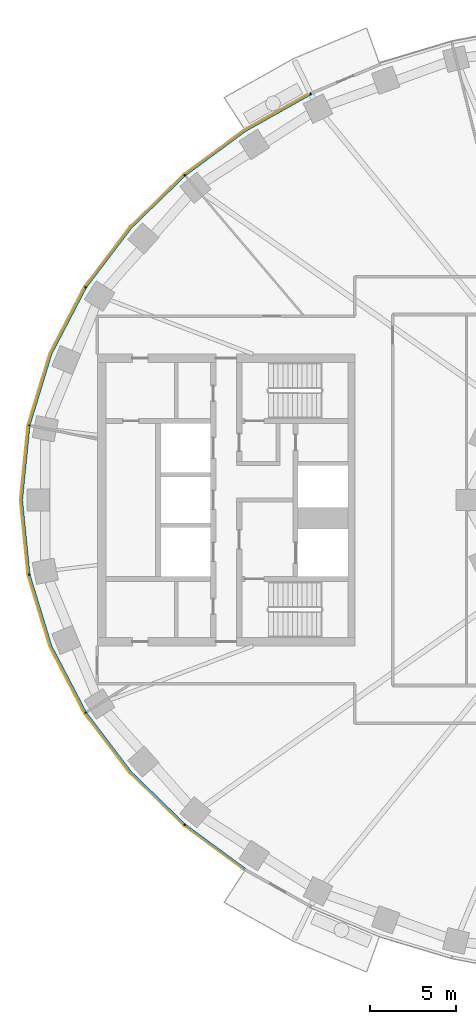
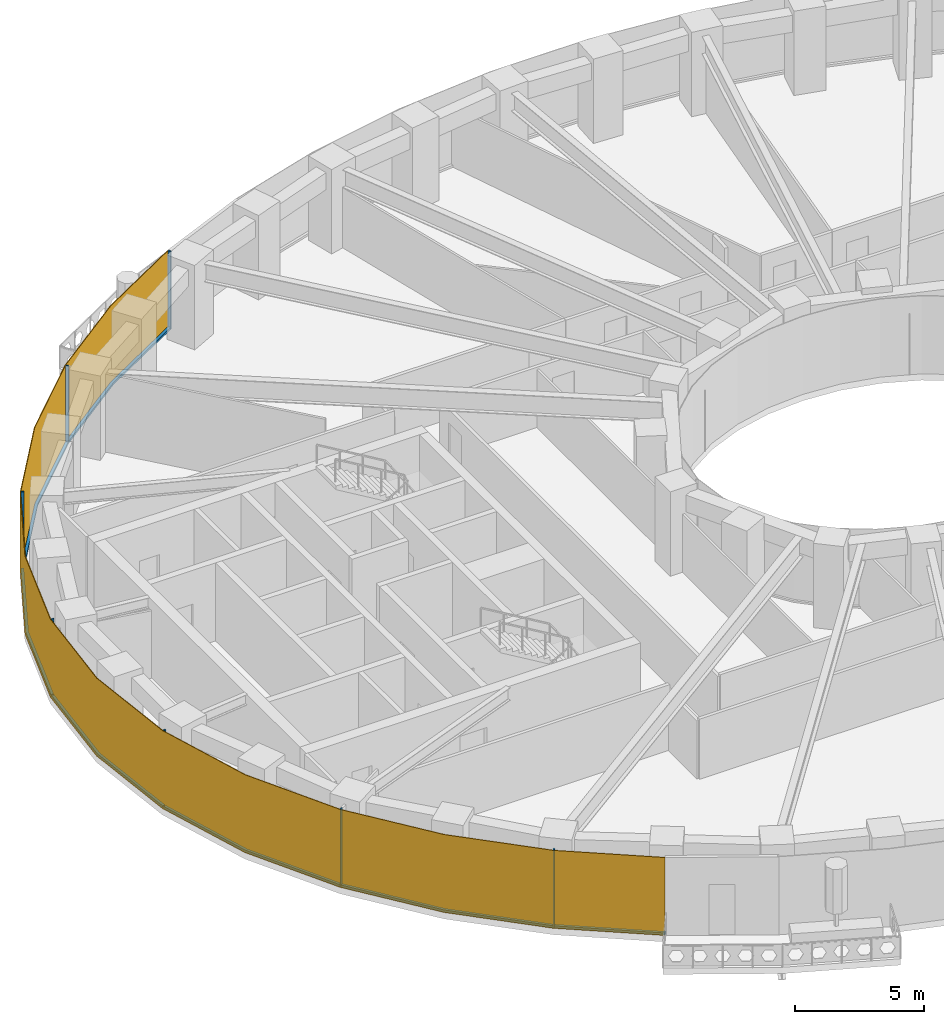
# One storey, part 8 of 15: 14 members, 1 curtain wall.
"""IFC4 building model written with IfcOpenShell, lengths in metres."""

from ifc_helpers import new_model, si_unit, direction, frame, origin, origin_2d, place, context, subcontext, project, spatial, polyline, rectangle, outline, extrude, material, layer, layer_set, material_profile, profile_set, type_object, element, aggregate, save


model = new_model("IFC4")

# Units and contexts
model_context = context("Model", 3, precision=1e-05, world=origin(), true_north=direction((0.0, 1.0)))
body_context = subcontext(model_context, "Body", "Model", "MODEL_VIEW")
ifc_project = project(units=[si_unit("LENGTHUNIT", "METRE"), si_unit("AREAUNIT", "SQUARE_METRE"), si_unit("VOLUMEUNIT", "CUBIC_METRE"), si_unit("PLANEANGLEUNIT", "RADIAN"), si_unit("MASSUNIT", "GRAM", prefix="KILO")], contexts=[model_context])

# Member
ifc_material_1 = material(Name="Aluminium 6063-T6 black anodised", Category="aluminium")
ifc_material_profile = material_profile(ifc_material_1, rectangle(XDim=0.1201171875, YDim=0.06005859375, at=origin_2d()), Name="120x60")
ifc_profile_set = profile_set([ifc_material_profile], Name="Aluminium 6063-T6 black anodised")
member_type_1 = type_object("IfcMemberType", Name="ENV-MULLION-A-120", PredefinedType="MULLION", material=ifc_profile_set)
site_placement = place(None, origin())
building_placement = place(site_placement, origin())
storey_placement = place(building_placement, frame((0.0, 0.0, 104.0)))
member_1_placement = place(storey_placement, frame((-19.06787109375, 23.6474609375, 0.0), z_axis=(0.0, 0.0, 1.0), x_axis=(0.439237769837, -0.898370848563, 0.0)))
member_1 = element("IfcMember", 1, at=member_1_placement, type_object=member_type_1, Name="Mullion A radial 17", PredefinedType="MULLION", context=body_context, shape_type="SweptSolid", body=[
    extrude(rectangle(XDim=0.1201171875, YDim=0.06005859375, at=origin_2d()), origin(), (0.0, 0.0, 1.0), 3.699951171875),
])

member_2_placement = place(storey_placement, frame((-26.403564453125, 18.9130859375, 0.0), z_axis=(0.0, 0.0, 1.0), x_axis=(0.646451313783, -0.762955240435, 0.0)))
member_2 = element("IfcMember", 2, at=member_2_placement, type_object=member_type_1, Name="Mullion A radial 19", PredefinedType="MULLION", context=body_context, shape_type="SweptSolid", body=[
    extrude(rectangle(XDim=0.1201171875, YDim=0.06005859375, at=origin_2d()), origin(), (0.0, 0.0, 1.0), 3.699951171875),
])

member_3_placement = place(storey_placement, frame((-32.177490234375, 12.385498046875, 0.0), z_axis=(0.0, 0.0, 1.0), x_axis=(0.844829880882, -0.53503501976, 0.0)))
member_3 = element("IfcMember", 3, at=member_3_placement, type_object=member_type_1, Name="Mullion A radial 21", PredefinedType="MULLION", context=body_context, shape_type="SweptSolid", body=[
    extrude(rectangle(XDim=0.1201171875, YDim=0.06005859375, at=origin_2d()), origin(), (0.0, 0.0, 1.0), 3.699951171875),
])

member_4_placement = place(storey_placement, frame((-35.470947265625, 4.340576171875, 0.0), z_axis=(0.0, 0.0, 1.0), x_axis=(0.980379083141, -0.19712141776, 0.0)))
member_4 = element("IfcMember", 4, at=member_4_placement, type_object=member_type_1, Name="Mullion A radial 23", PredefinedType="MULLION", context=body_context, shape_type="SweptSolid", body=[
    extrude(rectangle(XDim=0.1201171875, YDim=0.06005859375, at=origin_2d()), origin(), (0.0, 0.0, 1.0), 3.699951171875),
])

member_5_placement = place(storey_placement, frame((-35.470947265625, -4.340576171875, 0.0), z_axis=(0.0, 0.0, 1.0), x_axis=(0.980379083141, 0.19712141776, 0.0)))
member_5 = element("IfcMember", 5, at=member_5_placement, type_object=member_type_1, Name="Mullion A radial 25", PredefinedType="MULLION", context=body_context, shape_type="SweptSolid", body=[
    extrude(rectangle(XDim=0.1201171875, YDim=0.06005859375, at=origin_2d()), origin(), (0.0, 0.0, 1.0), 3.699951171875),
])

member_6_placement = place(storey_placement, frame((-32.177490234375, -12.385498046875, 0.0), z_axis=(0.0, 0.0, 1.0), x_axis=(0.844829880882, 0.53503501976, 0.0)))
member_6 = element("IfcMember", 6, at=member_6_placement, type_object=member_type_1, Name="Mullion A radial 27", PredefinedType="MULLION", context=body_context, shape_type="SweptSolid", body=[
    extrude(rectangle(XDim=0.1201171875, YDim=0.06005859375, at=origin_2d()), origin(), (0.0, 0.0, 1.0), 3.699951171875),
])

member_7_placement = place(storey_placement, frame((-26.403564453125, -18.9130859375, 0.0), z_axis=(0.0, 0.0, 1.0), x_axis=(0.646451313783, 0.762955240435, 0.0)))
member_7 = element("IfcMember", 7, at=member_7_placement, type_object=member_type_1, Name="Mullion A radial 29", PredefinedType="MULLION", context=body_context, shape_type="SweptSolid", body=[
    extrude(rectangle(XDim=0.1201171875, YDim=0.06005859375, at=origin_2d()), origin(), (0.0, 0.0, 1.0), 3.699951171875),
])

ifc_material_2 = material(Name="Aluminium 6063-T6 black anodised", Category="aluminium")
member_type_2 = type_object("IfcMemberType", Name="ENV-TRANSOM-A", PredefinedType="USERDEFINED", material=ifc_material_2)
member_8_placement = place(storey_placement, origin())
member_8 = element("IfcMember", 8, at=member_8_placement, type_object=member_type_2, Name="Transom A radial 17-19", ObjectType="TRANSOM", PredefinedType="USERDEFINED", context=body_context, shape_type="SweptSolid", body=[
    extrude(outline(polyline([(-19.11865234375, 23.687744140625), (-22.9150390625, 21.556884765625), (-26.419921875, 18.975341796875), (-26.342041015625, 18.883544921875), (-22.85009765625, 21.455810546875), (-19.06591796875, 23.57958984375), (-19.11865234375, 23.687744140625)])), origin(), (0.0, 0.0, 1.0), 0.10009765625),
])

member_9_placement = place(storey_placement, origin())
member_9 = element("IfcMember", 9, at=member_9_placement, type_object=member_type_2, Name="Transom A radial 19-21", ObjectType="TRANSOM", PredefinedType="USERDEFINED", context=body_context, shape_type="SweptSolid", body=[
    extrude(outline(polyline([(-26.46240234375, 18.939208984375), (-29.58349609375, 15.906982421875), (-32.211181640625, 12.43994140625), (-32.109375, 12.37548828125), (-29.493408203125, 15.8271484375), (-26.384765625, 18.847412109375), (-26.46240234375, 18.939208984375)])), origin(), (0.0, 0.0, 1.0), 0.10009765625),
])

member_10_placement = place(storey_placement, origin())
member_10 = element("IfcMember", 10, at=member_10_placement, type_object=member_type_2, Name="Transom A radial 21-23", ObjectType="TRANSOM", PredefinedType="USERDEFINED", context=body_context, shape_type="SweptSolid", body=[
    extrude(outline(polyline([(-32.240966796875, 12.392578125), (-34.251220703125, 8.53662109375), (-35.521484375, 4.379150390625), (-35.4033203125, 4.355224609375), (-34.139892578125, 8.490966796875), (-32.139404296875, 12.328369140625), (-32.240966796875, 12.392578125)])), origin(), (0.0, 0.0, 1.0), 0.10009765625),
])

member_11_placement = place(storey_placement, origin())
member_11 = element("IfcMember", 11, at=member_11_placement, type_object=member_type_2, Name="Transom A radial 23-25", ObjectType="TRANSOM", PredefinedType="USERDEFINED", context=body_context, shape_type="SweptSolid", body=[
    extrude(outline(polyline([(-35.532470703125, 4.324462890625), (-35.9677734375, 0.0), (-35.532470703125, -4.324462890625), (-35.414306640625, -4.30078125), (-35.84716796875, 0.0), (-35.414306640625, 4.30078125), (-35.532470703125, 4.324462890625)])), origin(), (0.0, 0.0, 1.0), 0.10009765625),
])

member_12_placement = place(storey_placement, origin())
member_12 = element("IfcMember", 12, at=member_12_placement, type_object=member_type_2, Name="Transom A radial 25-27", ObjectType="TRANSOM", PredefinedType="USERDEFINED", context=body_context, shape_type="SweptSolid", body=[
    extrude(outline(polyline([(-35.521484375, -4.379150390625), (-34.251220703125, -8.53662109375), (-32.240966796875, -12.392578125), (-32.139404296875, -12.328369140625), (-34.139892578125, -8.490966796875), (-35.4033203125, -4.355224609375), (-35.521484375, -4.379150390625)])), origin(), (0.0, 0.0, 1.0), 0.10009765625),
])

member_13_placement = place(storey_placement, origin())
member_13 = element("IfcMember", 13, at=member_13_placement, type_object=member_type_2, Name="Transom A radial 27-29", ObjectType="TRANSOM", PredefinedType="USERDEFINED", context=body_context, shape_type="SweptSolid", body=[
    extrude(outline(polyline([(-32.211181640625, -12.43994140625), (-29.58349609375, -15.906982421875), (-26.46240234375, -18.939208984375), (-26.384765625, -18.847412109375), (-29.493408203125, -15.8271484375), (-32.109375, -12.37548828125), (-32.211181640625, -12.43994140625)])), origin(), (0.0, 0.0, 1.0), 0.10009765625),
])

member_14_placement = place(storey_placement, origin())
member_14 = element("IfcMember", 14, at=member_14_placement, type_object=member_type_2, Name="Transom A radial 29-30", ObjectType="TRANSOM", PredefinedType="USERDEFINED", context=body_context, shape_type="SweptSolid", body=[
    extrude(outline(polyline([(-26.419921875, -18.975341796875), (-22.931396484375, -21.544921875), (-22.8662109375, -21.444091796875), (-26.342041015625, -18.883544921875), (-26.419921875, -18.975341796875)])), origin(), (0.0, 0.0, 1.0), 0.10009765625),
])

# Site, building, storey
site = spatial("IfcSite", under=ifc_project, at=site_placement, CompositionType="ELEMENT")
building = spatial("IfcBuilding", under=site, at=building_placement, Name="Noorbagh Ring Tower", CompositionType="ELEMENT")
storey = spatial("IfcBuildingStorey", under=building, at=storey_placement, Name="L23", CompositionType="ELEMENT", Elevation=104.0)

# Curtain wall
ifc_material_3 = material(Name="Glass dark tinted laminated", Category="glass")
ifc_layer = layer(ifc_material_3, 0.031982421875)
ifc_layer_set = layer_set([ifc_layer], Name="Glass dark tinted laminated")
curtain_wall_type = type_object("IfcCurtainWallType", Name="ENV-CW-A", PredefinedType="NOTDEFINED", material=ifc_layer_set)
curtain_wall_placement = place(storey_placement, origin())
curtain_wall = element("IfcCurtainWall", 15, at=curtain_wall_placement, inside=storey, type_object=curtain_wall_type, Name="Curtain wall A R17", PredefinedType="NOTDEFINED", context=body_context, shape_type="SweptSolid", body=[
    extrude(outline(polyline([(-19.125732421875, 23.720458984375), (-22.9326171875, 21.583740234375), (-26.463134765625, 18.9833984375), (-29.607666015625, 15.927978515625), (-32.255126953125, 12.434814453125), (-34.281005859375, 8.548828125), (-35.561279296875, 4.358642578125), (-36.0, 0.0), (-35.561279296875, -4.358642578125), (-34.281005859375, -8.548828125), (-32.255126953125, -12.434814453125), (-29.607666015625, -15.927978515625), (-26.463134765625, -18.9833984375), (-22.948486328125, -21.572021484375), (-22.931396484375, -21.544921875), (-26.4423828125, -18.958740234375), (-29.58349609375, -15.906982421875), (-32.22802734375, -12.41748046875), (-34.251220703125, -8.53662109375), (-35.529541015625, -4.352294921875), (-35.9677734375, 0.0), (-35.529541015625, 4.352294921875), (-34.251220703125, 8.53662109375), (-32.22802734375, 12.41748046875), (-29.58349609375, 15.906982421875), (-26.4423828125, 18.958740234375), (-22.9150390625, 21.556884765625), (-19.111572265625, 23.691650390625), (-19.125732421875, 23.720458984375)])), origin(), (0.0, 0.0, 1.0), 3.699951171875),
])

aggregate(curtain_wall, [member_1, member_2, member_3, member_4, member_5, member_6, member_7, member_8, member_9, member_10, member_11, member_12, member_13, member_14])

save(model, "model.ifc")
